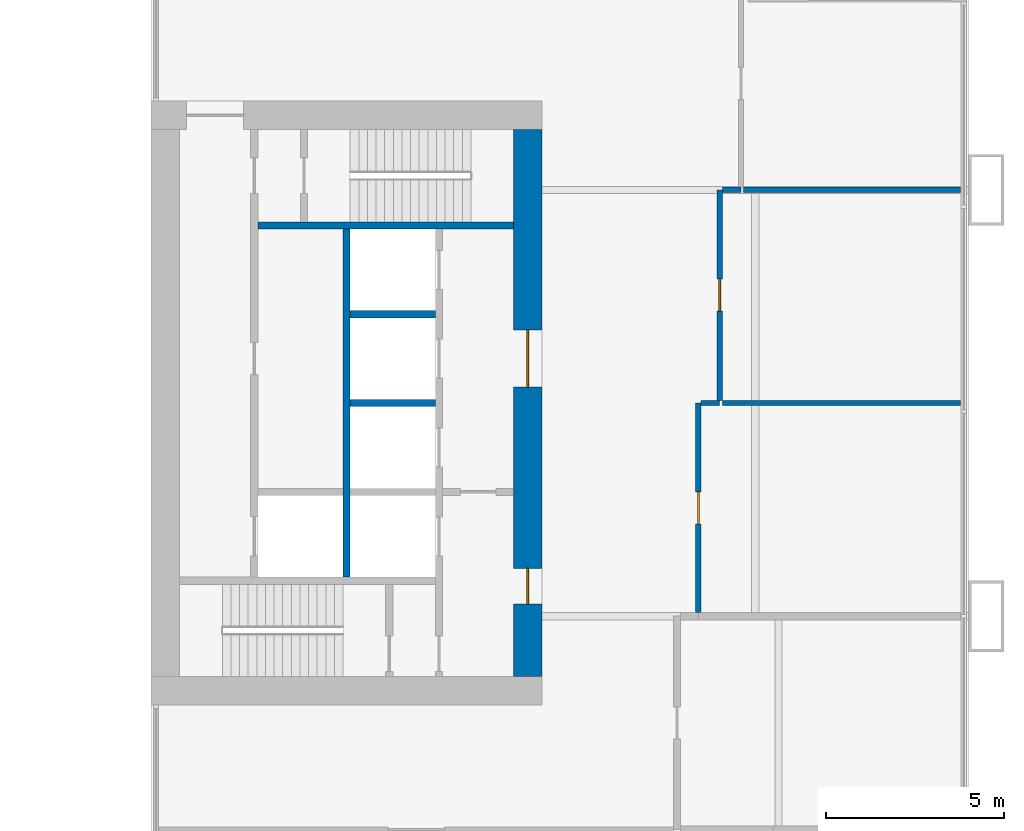
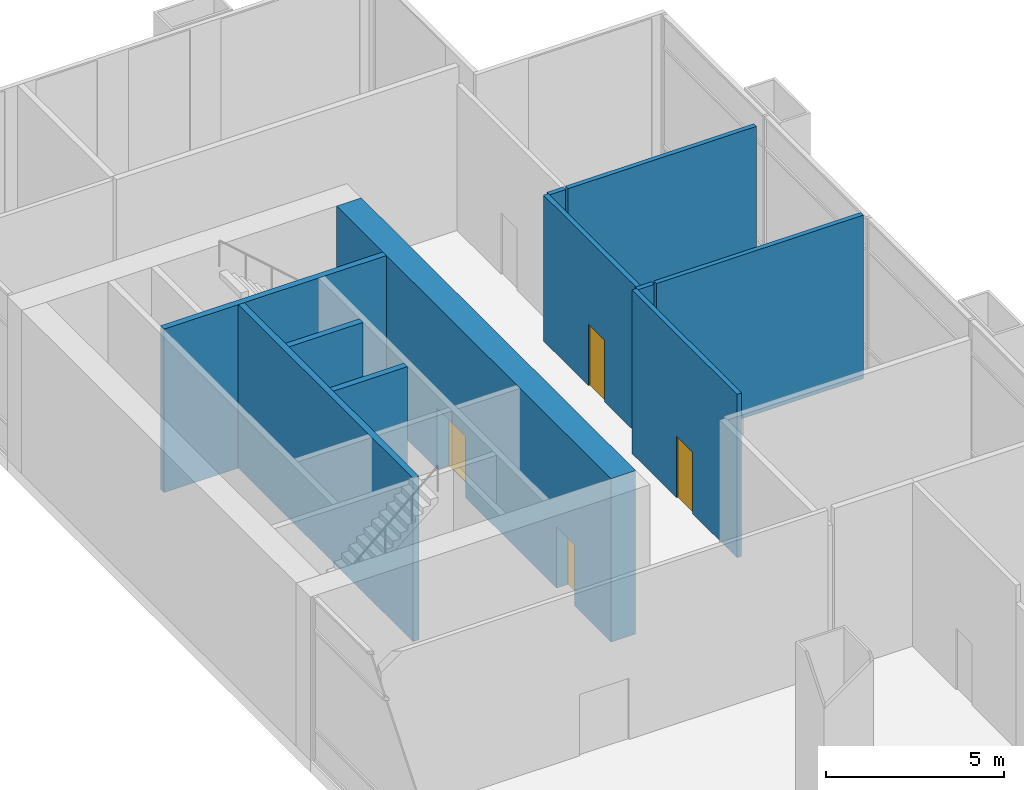
# One storey, part 20 of 25: 11 walls, 4 doors, 4 openings.
"""IFC4 building model written with IfcOpenShell, lengths in metres."""

import ifcopenshell
import ifcopenshell.guid

model = None  # the IFC model being written
_history = None  # IfcOwnerHistory: only IFC2X3 demands one
_inside = {}  # id of a spatial element -> (the spatial element, [elements in it])
_under = {}  # id of a project, library or spatial element -> (it, [spatial elements below it])
_declared = {}  # id of a project -> (the project, [libraries it declares])
_typed = {}  # id of a type object -> (the type object, [elements of that type])
_made_of = {}  # id of a material, layer set ... -> (it, [elements and type objects made of it])


def new_model(schema):
    """Start an empty IFC model of exactly this schema.

    Asked for "IFC4X3", IfcOpenShell would pick the latest addendum, in which some entities
    have other attributes; the version numbers below select the first issue.
    IFC2X3 requires an IfcOwnerHistory on every rooted entity: one is made here for all.
    """
    global model, _history
    if schema == "IFC4X3":
        model = ifcopenshell.file(schema_version=(4, 3, 0, 0))
    else:
        model = ifcopenshell.file(schema=schema)
    _inside.clear()
    _under.clear()
    _declared.clear()
    _typed.clear()
    _made_of.clear()
    _history = None
    if model.schema == "IFC2X3":
        org = make("IfcOrganization", Name="unknown")
        user = make(
            "IfcPersonAndOrganization",
            ThePerson=make("IfcPerson", FamilyName="unknown"),
            TheOrganization=org,
        )
        app = make(
            "IfcApplication",
            ApplicationDeveloper=org,
            Version="unknown",
            ApplicationFullName="unknown",
            ApplicationIdentifier="unknown",
        )
        _history = make(
            "IfcOwnerHistory",
            OwningUser=user,
            OwningApplication=app,
            ChangeAction="ADDED",
            CreationDate=0,
        )
    return model


def make(cls, **values):
    """One entity of the class cls with the attributes given. An attribute that is None is left unset."""
    return model.create_entity(
        cls, **{name: value for name, value in values.items() if value is not None}
    )


def rooted(cls, **values):
    """An entity with a GlobalId (a new one), such as an element, a storey or a relation."""
    return make(cls, GlobalId=ifcopenshell.guid.new(), OwnerHistory=_history, **values)


def si_unit(unit_type, name, prefix=None):
    """IfcSIUnit, for example si_unit("LENGTHUNIT", "METRE", prefix="MILLI")."""
    return make("IfcSIUnit", UnitType=unit_type, Prefix=prefix, Name=name)


def assignment(units):
    """IfcUnitAssignment: the units of a project."""
    return None if units is None else make("IfcUnitAssignment", Units=units)


def point(xyz):
    """IfcCartesianPoint."""
    return None if xyz is None else make("IfcCartesianPoint", Coordinates=xyz)


def direction(xyz):
    """IfcDirection."""
    return None if xyz is None else make("IfcDirection", DirectionRatios=xyz)


def frame(location, z_axis=None, x_axis=None):
    """IfcAxis2Placement3D, a coordinate frame: its origin and axes. An axis left out is left unset."""
    return make(
        "IfcAxis2Placement3D",
        Location=point(location),
        Axis=direction(z_axis),
        RefDirection=direction(x_axis),
    )


def frame_2d(location, x_axis=None):
    """IfcAxis2Placement2D, a coordinate frame in the plane: its origin and x axis."""
    return make(
        "IfcAxis2Placement2D", Location=point(location), RefDirection=direction(x_axis)
    )


def origin():
    """The frame at (0, 0, 0) with its axes left unset."""
    return frame((0.0, 0.0, 0.0))


def place(relative_to, where):
    """IfcLocalPlacement: puts the frame where relative to a parent placement (None: the world)."""
    return make(
        "IfcLocalPlacement", PlacementRelTo=relative_to, RelativePlacement=where
    )


def context(
    kind, dimensions, precision=None, world=None, true_north=None, identifier=None
):
    """IfcGeometricRepresentationContext, for example the 3D "Model" context."""
    return make(
        "IfcGeometricRepresentationContext",
        ContextIdentifier=identifier,
        ContextType=kind,
        CoordinateSpaceDimension=dimensions,
        Precision=precision,
        WorldCoordinateSystem=world,
        TrueNorth=true_north,
    )


def subcontext(parent, identifier, kind, view, scale=None):
    """IfcGeometricRepresentationSubContext, for example "Body" below "Model"."""
    return make(
        "IfcGeometricRepresentationSubContext",
        ContextIdentifier=identifier,
        ContextType=kind,
        ParentContext=parent,
        TargetScale=scale,
        TargetView=view,
    )


def project(units=None, contexts=None):
    """IfcProject with its units and contexts."""
    return rooted(
        "IfcProject",
        Name="project",
        RepresentationContexts=contexts,
        UnitsInContext=assignment(units),
    )


def spatial(cls, under=None, at=None, **own):
    """A site, building, storey or space (cls), placed at a placement, below another one or the project."""
    s = rooted(cls, ObjectPlacement=at, **own)
    if under is not None:
        _under.setdefault(under.id(), (under, []))[1].append(s)
    return s


def profile(cls, at=None, kind="AREA", **sizes):
    """A parametric profile (cls). Its sizes go by their IFC names, for example OverallWidth=200.0."""
    return make(cls, ProfileType=kind, Position=at, **sizes)


def rectangle(**sizes):
    """IfcRectangleProfileDef."""
    return profile("IfcRectangleProfileDef", **sizes)


def extrude(swept, where, along, depth):
    """IfcExtrudedAreaSolid: the profile swept, set in the frame where, extruded along a direction by depth."""
    return make(
        "IfcExtrudedAreaSolid",
        SweptArea=swept,
        Position=where,
        ExtrudedDirection=direction(along),
        Depth=depth,
    )


def shape(context_of_items, identifier, shape_type, items):
    """IfcShapeRepresentation: the items that make up one representation, for example the "Body"."""
    return make(
        "IfcShapeRepresentation",
        ContextOfItems=context_of_items,
        RepresentationIdentifier=identifier,
        RepresentationType=shape_type,
        Items=items,
    )


def material(Name=None, Category=None):
    """IfcMaterial."""
    return make("IfcMaterial", Name=Name, Category=Category)


def layer(
    of_material, thickness, ventilated=None, Name=None, Category=None, Priority=None
):
    """IfcMaterialLayer: one layer of a wall or slab, of a material (None: an air gap)."""
    return make(
        "IfcMaterialLayer",
        Material=of_material,
        LayerThickness=thickness,
        IsVentilated=ventilated,
        Name=Name,
        Category=Category,
        Priority=Priority,
    )


def layer_set(layers, Name=None):
    """IfcMaterialLayerSet."""
    return make("IfcMaterialLayerSet", MaterialLayers=layers, LayerSetName=Name)


def made_of(thing, what):
    """Note that an element or type object is made of a material, layer set ...; save() writes the relation."""
    if what is not None:
        _made_of.setdefault(what.id(), (what, []))[1].append(thing)
    return thing


def type_object(cls, material=None, **own):
    """A type object (cls), such as IfcWallType, which elements share."""
    return made_of(rooted(cls, **own), material)


def element(
    cls,
    number,
    at=None,
    inside=None,
    cuts=None,
    type_object=None,
    material=None,
    context=None,
    identifier="Body",
    shape_type=None,
    held_by="IfcProductDefinitionShape",
    body=None,
    shapes=None,
    **own,
):
    """One element of the class cls, such as IfcWall. Its Tag is "e" and its number.

    at: its placement. inside: the storey or other place that contains it. cuts: it is an
    opening in that element (IfcRelVoidsElement). A single representation is given by context,
    identifier, shape_type and body (its items); several are given by shapes. held_by: the class
    of the entity that holds the representations. save() writes the other relations.
    """
    e = rooted(cls, Tag="e%d" % number, ObjectPlacement=at, **own)
    if body is not None:
        shapes = [shape(context, identifier, shape_type, body)]
    if shapes is not None:
        e.Representation = make(held_by, Representations=shapes)
    if inside is not None:
        _inside.setdefault(inside.id(), (inside, []))[1].append(e)
    if cuts is not None:
        rooted(
            "IfcRelVoidsElement", RelatingBuildingElement=cuts, RelatedOpeningElement=e
        )
    if type_object is not None:
        _typed.setdefault(type_object.id(), (type_object, []))[1].append(e)
    return made_of(e, material)


def fill(opening, filler):
    """IfcRelFillsElement: the door or window that sits in an opening."""
    return rooted(
        "IfcRelFillsElement",
        RelatingOpeningElement=opening,
        RelatedBuildingElement=filler,
    )


def aggregate(whole, parts):
    """IfcRelAggregates: a whole, such as a stair, and the parts it consists of."""
    return rooted("IfcRelAggregates", RelatingObject=whole, RelatedObjects=parts)


def save(model, path):
    """Write the relations noted so far, then the file.

    IfcRelAggregates (storeys below a building ...), IfcRelContainedInSpatialStructure (elements
    in a storey), IfcRelDefinesByType, IfcRelAssociatesMaterial and IfcRelDeclares: one each for
    every whole, place, type object, material and project.
    """
    for whole, parts in _under.values():
        aggregate(whole, parts)
    for where, things in _inside.values():
        rooted(
            "IfcRelContainedInSpatialStructure",
            RelatedElements=things,
            RelatingStructure=where,
        )
    for kind, things in _typed.values():
        rooted("IfcRelDefinesByType", RelatedObjects=things, RelatingType=kind)
    for what, things in _made_of.values():
        rooted("IfcRelAssociatesMaterial", RelatedObjects=things, RelatingMaterial=what)
    for by, libraries in _declared.values():
        rooted("IfcRelDeclares", RelatingContext=by, RelatedDefinitions=libraries)
    model.write(path)


model = new_model("IFC4")

# Units and contexts
model_context = context("Model", 3, precision=1e-05, world=origin(), true_north=direction((0.0, 1.0)))
body_context = subcontext(model_context, "Body", "Model", "MODEL_VIEW")
ifc_project = project(units=[si_unit("LENGTHUNIT", "METRE"), si_unit("AREAUNIT", "SQUARE_METRE"), si_unit("VOLUMEUNIT", "CUBIC_METRE"), si_unit("PLANEANGLEUNIT", "RADIAN"), si_unit("MASSUNIT", "GRAM", prefix="KILO")], contexts=[model_context])

# Site, building, storey
site_placement = place(None, origin())
site = spatial("IfcSite", under=ifc_project, at=site_placement, CompositionType="ELEMENT")
building_placement = place(site_placement, origin())
building = spatial("IfcBuilding", under=site, at=building_placement, Name="Kitamizu Gate Tower and Museum", CompositionType="ELEMENT")
storey_placement = place(building_placement, frame((0.0, 0.0, 12.0)))
storey = spatial("IfcBuildingStorey", under=building, at=storey_placement, Name="L02", CompositionType="ELEMENT", Elevation=12.0)

# Wall, openings, doors
ifc_material_1 = material(Name="Concrete Fc60", Category="concrete")
ifc_layer_1 = layer(ifc_material_1, 0.800048828125)
ifc_layer_set_1 = layer_set([ifc_layer_1], Name="Concrete Fc60")
wall_type_1 = type_object("IfcWallType", Name="Core wall 800", PredefinedType="SHEAR", material=ifc_layer_set_1)
wall_1_placement = place(storey_placement, frame((59.10009765625, 22.300048828125, 0.0), z_axis=(0.0, 0.0, 1.0), x_axis=(0.0, 1.0, 0.0)))
wall_1 = element("IfcWall", 1, at=wall_1_placement, inside=storey, type_object=wall_type_1, Name="Core wall EOUT", PredefinedType="SHEAR", context=body_context, shape_type="SweptSolid", body=[
    extrude(rectangle(XDim=15.39990234375, YDim=0.800048828125, at=frame_2d((7.699951171875, 0.0))), origin(), (0.0, 0.0, 1.0), 5.60009765625),
])
opening_1_placement = place(wall_1_placement, frame((8.14990234375, 0.0, 0.0)))
opening_1 = element("IfcOpeningElement", 2, at=opening_1_placement, cuts=wall_1, Name="Opening L02-032", PredefinedType="OPENING", context=body_context, shape_type="SweptSolid", body=[
    extrude(rectangle(XDim=1.60009765625, YDim=2.10009765625, at=frame_2d((0.800048828125, 1.050048828125))), frame((0.0, 0.41015625, 0.0), z_axis=(0.0, -1.0, 0.0), x_axis=(1.0, 0.0, 0.0)), (0.0, 0.0, 1.0), 0.820068359375),
])
opening_2_placement = place(wall_1_placement, frame((2.050048828125, 0.0, 0.0)))
opening_2 = element("IfcOpeningElement", 3, at=opening_2_placement, cuts=wall_1, Name="Opening L02-033", PredefinedType="OPENING", context=body_context, shape_type="SweptSolid", body=[
    extrude(rectangle(XDim=1.0, YDim=2.10009765625, at=frame_2d((0.5, 1.050048828125))), frame((0.0, 0.41015625, 0.0), z_axis=(0.0, -1.0, 0.0), x_axis=(1.0, 0.0, 0.0)), (0.0, 0.0, 1.0), 0.820068359375),
])
ifc_material_2 = material(Name="Timber door set", Category="wood")
door_type_1 = type_object("IfcDoorType", Name="Entrance door 1600", OperationType="DOUBLE_DOOR_SINGLE_SWING", PredefinedType="DOOR", material=ifc_material_2)
door_1_placement = place(opening_1_placement, origin())
door_1 = element("IfcDoor", 4, at=door_1_placement, inside=storey, type_object=door_type_1, Name="Lobby door L02-032", OperationType="DOUBLE_DOOR_SINGLE_SWING", OverallHeight=2.10009765625, OverallWidth=1.60009765625, PredefinedType="DOOR", context=body_context, shape_type="SweptSolid", body=[
    extrude(rectangle(XDim=1.60009765625, YDim=2.10009765625, at=frame_2d((0.800048828125, 1.050048828125))), frame((0.0, 0.02490234375, 0.0), z_axis=(0.0, -1.0, 0.0), x_axis=(1.0, 0.0, 0.0)), (0.0, 0.0, 1.0), 0.050048828125),
])
fill(opening_1, door_1)
ifc_material_3 = material(Name="Hollow metal door set")
door_type_2 = type_object("IfcDoorType", Name="Fire door 1000", OperationType="NOTDEFINED", PredefinedType="DOOR", material=ifc_material_3)
door_2_placement = place(opening_2_placement, origin())
door_2 = element("IfcDoor", 5, at=door_2_placement, inside=storey, type_object=door_type_2, Name="Fire-fighting lobby door L02-033", OperationType="SINGLE_SWING_LEFT", OverallHeight=2.10009765625, OverallWidth=1.0, PredefinedType="DOOR", context=body_context, shape_type="SweptSolid", body=[
    extrude(rectangle(XDim=1.0, YDim=2.10009765625, at=frame_2d((0.5, 1.050048828125))), frame((0.0, 0.02490234375, 0.0), z_axis=(0.0, -1.0, 0.0), x_axis=(1.0, 0.0, 0.0)), (0.0, 0.0, 1.0), 0.050048828125),
])
fill(opening_2, door_2)

# Wall, opening, door
ifc_material_4 = material(Name="Gypsum board on galvanised stud")
ifc_layer_2 = layer(ifc_material_4, 0.14990234375)
ifc_layer_set_2 = layer_set([ifc_layer_2], Name="Gypsum board on galvanised stud")
wall_type_2 = type_object("IfcWallType", Name="Partition 150", PredefinedType="PARTITIONING", material=ifc_layer_set_2)
wall_2_placement = place(storey_placement, frame((63.89990234375, 24.10009765625, 0.0), z_axis=(0.0, 0.0, 1.0), x_axis=(0.0, 1.0, 0.0)))
wall_2 = element("IfcWall", 6, at=wall_2_placement, inside=storey, type_object=wall_type_2, Name="Partition L02-016", PredefinedType="PARTITIONING", context=body_context, shape_type="SweptSolid", body=[
    extrude(rectangle(XDim=5.89990234375, YDim=0.14990234375, at=frame_2d((2.949951171875, 0.0))), origin(), (0.0, 0.0, 1.0), 5.60009765625),
])
opening_3_placement = place(wall_2_placement, frame((2.5, 0.0, 0.0)))
opening_3 = element("IfcOpeningElement", 7, at=opening_3_placement, cuts=wall_2, Name="Opening L02-004", PredefinedType="OPENING", context=body_context, shape_type="SweptSolid", body=[
    extrude(rectangle(XDim=0.89990234375, YDim=2.10009765625, at=frame_2d((0.449951171875, 1.050048828125))), frame((0.0, 0.0849609375, 0.0), z_axis=(0.0, -1.0, 0.0), x_axis=(1.0, 0.0, 0.0)), (0.0, 0.0, 1.0), 0.169921875),
])
ifc_material_5 = material(Name="Timber door set", Category="wood")
door_type_3 = type_object("IfcDoorType", Name="Room door 900", OperationType="NOTDEFINED", PredefinedType="DOOR", material=ifc_material_5)
door_3_placement = place(opening_3_placement, frame((0.89990234375, 0.0, 0.0), x_axis=(-1.0, 0.0, 0.0)))
door_3 = element("IfcDoor", 8, at=door_3_placement, inside=storey, type_object=door_type_3, Name="Door L02-004", OperationType="SINGLE_SWING_LEFT", OverallHeight=2.10009765625, OverallWidth=0.89990234375, PredefinedType="DOOR", context=body_context, shape_type="SweptSolid", body=[
    extrude(rectangle(XDim=0.89990234375, YDim=2.10009765625, at=frame_2d((0.449951171875, 1.050048828125))), frame((0.0, 0.02490234375, 0.0), z_axis=(0.0, -1.0, 0.0), x_axis=(1.0, 0.0, 0.0)), (0.0, 0.0, 1.0), 0.050048828125),
])
fill(opening_3, door_3)

# Wall
wall_3_placement = place(storey_placement, frame((63.97509765625, 30.0, 0.0), z_axis=(0.0, 0.0, 1.0), x_axis=(1.0, 0.0, 0.0)))
element("IfcWall", 9, at=wall_3_placement, inside=storey, type_object=wall_type_2, Name="Partition L02-017", PredefinedType="PARTITIONING", context=body_context, shape_type="SweptSolid", body=[
    extrude(rectangle(XDim=0.52490234375, YDim=0.14990234375, at=frame_2d((0.262451171875, 0.0))), origin(), (0.0, 0.0, 1.0), 5.60009765625),
])

# Wall, opening, door
wall_4_placement = place(storey_placement, frame((64.5, 30.074951171875, 0.0), z_axis=(0.0, 0.0, 1.0), x_axis=(0.0, 1.0, 0.0)))
wall_4 = element("IfcWall", 10, at=wall_4_placement, inside=storey, type_object=wall_type_2, Name="Partition L02-018", PredefinedType="PARTITIONING", context=body_context, shape_type="SweptSolid", body=[
    extrude(rectangle(XDim=5.925048828125, YDim=0.14990234375, at=frame_2d((2.96240234375, 0.0))), origin(), (0.0, 0.0, 1.0), 5.0),
])
opening_4_placement = place(wall_4_placement, frame((2.512451171875, 0.0, 0.0)))
opening_4 = element("IfcOpeningElement", 11, at=opening_4_placement, cuts=wall_4, Name="Opening L02-005", PredefinedType="OPENING", context=body_context, shape_type="SweptSolid", body=[
    extrude(rectangle(XDim=0.89990234375, YDim=2.10009765625, at=frame_2d((0.449951171875, 1.050048828125))), frame((0.0, 0.0849609375, 0.0), z_axis=(0.0, -1.0, 0.0), x_axis=(1.0, 0.0, 0.0)), (0.0, 0.0, 1.0), 0.169921875),
])
door_4_placement = place(opening_4_placement, frame((0.89990234375, 0.0, 0.0), x_axis=(-1.0, 0.0, 0.0)))
door_4 = element("IfcDoor", 12, at=door_4_placement, inside=storey, type_object=door_type_3, Name="Door L02-005", OperationType="SINGLE_SWING_RIGHT", OverallHeight=2.10009765625, OverallWidth=0.89990234375, PredefinedType="DOOR", context=body_context, shape_type="SweptSolid", body=[
    extrude(rectangle(XDim=0.89990234375, YDim=2.10009765625, at=frame_2d((0.449951171875, 1.050048828125))), frame((0.0, 0.02490234375, 0.0), z_axis=(0.0, -1.0, 0.0), x_axis=(1.0, 0.0, 0.0)), (0.0, 0.0, 1.0), 0.050048828125),
])
fill(opening_4, door_4)

# Walls
wall_5_placement = place(storey_placement, frame((64.574951171875, 36.0, 0.0), z_axis=(0.0, 0.0, 1.0), x_axis=(1.0, 0.0, 0.0)))
element("IfcWall", 13, at=wall_5_placement, inside=storey, type_object=wall_type_2, Name="Partition L02-019", PredefinedType="PARTITIONING", context=body_context, shape_type="SweptSolid", body=[
    extrude(rectangle(XDim=0.525146484375, YDim=0.14990234375, at=frame_2d((0.2626953125, 0.0))), origin(), (0.0, 0.0, 1.0), 5.0),
])
wall_6_placement = place(storey_placement, frame((71.280029296875, 30.0, 0.0), z_axis=(0.0, 0.0, 1.0), x_axis=(-1.0, 0.0, 0.0)))
element("IfcWall", 14, at=wall_6_placement, inside=storey, type_object=wall_type_2, Name="Partition L02-028", PredefinedType="PARTITIONING", context=body_context, shape_type="SweptSolid", body=[
    extrude(rectangle(XDim=6.705078125, YDim=0.14990234375, at=frame_2d((3.3525390625, 0.0))), origin(), (0.0, 0.0, 1.0), 5.60009765625),
])
wall_7_placement = place(storey_placement, frame((71.280029296875, 36.0, 0.0), z_axis=(0.0, 0.0, 1.0), x_axis=(-1.0, 0.0, 0.0)))
element("IfcWall", 15, at=wall_7_placement, inside=storey, type_object=wall_type_2, Name="Partition L02-029", PredefinedType="PARTITIONING", context=body_context, shape_type="SweptSolid", body=[
    extrude(rectangle(XDim=6.10498046875, YDim=0.14990234375, at=frame_2d((3.052490234375, 0.0))), origin(), (0.0, 0.0, 1.0), 5.0),
])
ifc_material_6 = material(Name="Concrete Fc42", Category="concrete")
ifc_layer_3 = layer(ifc_material_6, 0.199951171875)
ifc_layer_set_3 = layer_set([ifc_layer_3], Name="Concrete Fc42")
wall_type_3 = type_object("IfcWallType", Name="Shaft wall 200", PredefinedType="SOLIDWALL", material=ifc_layer_set_3)
wall_8_placement = place(storey_placement, frame((54.0, 25.10009765625, 0.0), z_axis=(0.0, 0.0, 1.0), x_axis=(0.0, 1.0, 0.0)))
element("IfcWall", 16, at=wall_8_placement, inside=storey, type_object=wall_type_3, Name="Shaft wall EMID", PredefinedType="SOLIDWALL", context=body_context, shape_type="SweptSolid", body=[
    extrude(rectangle(XDim=9.7998046875, YDim=0.199951171875, at=frame_2d((4.89990234375, 0.0))), origin(), (0.0, 0.0, 1.0), 5.60009765625),
])
wall_9_placement = place(storey_placement, frame((58.699951171875, 35.0, 0.0), z_axis=(0.0, 0.0, 1.0), x_axis=(-1.0, 0.0, 0.0)))
element("IfcWall", 17, at=wall_9_placement, inside=storey, type_object=wall_type_3, Name="Shaft wall ENB", PredefinedType="SOLIDWALL", context=body_context, shape_type="SweptSolid", body=[
    extrude(rectangle(XDim=7.199951171875, YDim=0.199951171875, at=frame_2d((3.60009765625, 0.0))), origin(), (0.0, 0.0, 1.0), 5.60009765625),
])
for number, where, z_axis, x_axis, name in (
    (18, (56.5, 30.0, 0.0), (0.0, 0.0, 1.0), (-1.0, 0.0, 0.0), "Shaft wall EDVW1"),
    (19, (56.5, 32.5, 0.0), (0.0, 0.0, 1.0), (-1.0, 0.0, 0.0), "Shaft wall EDVW2"),
):
    element("IfcWall", number, at=place(storey_placement, frame(where, z_axis=z_axis, x_axis=x_axis)), inside=storey, type_object=wall_type_3, Name=name, PredefinedType="SOLIDWALL", context=body_context, shape_type="SweptSolid", body=[
        extrude(rectangle(XDim=2.39990234375, YDim=0.199951171875, at=frame_2d((1.199951171875, 0.0))), origin(), (0.0, 0.0, 1.0), 5.60009765625),
    ])

save(model, "model.ifc")
